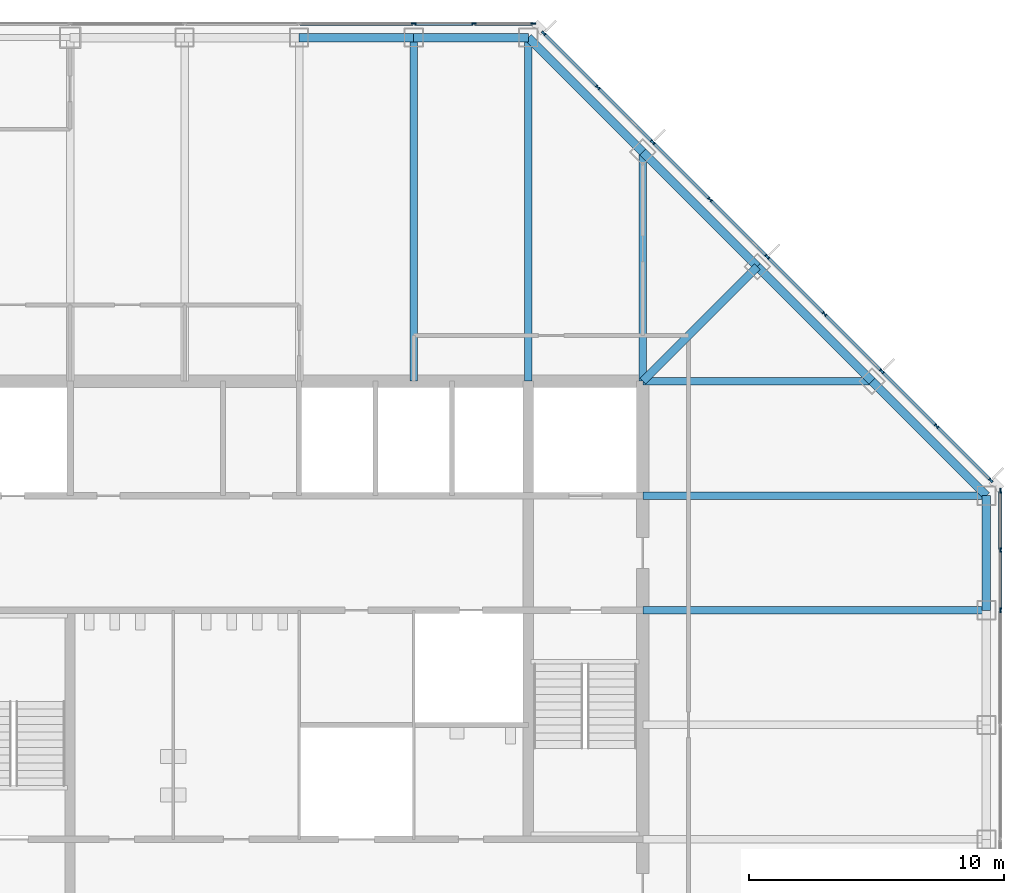
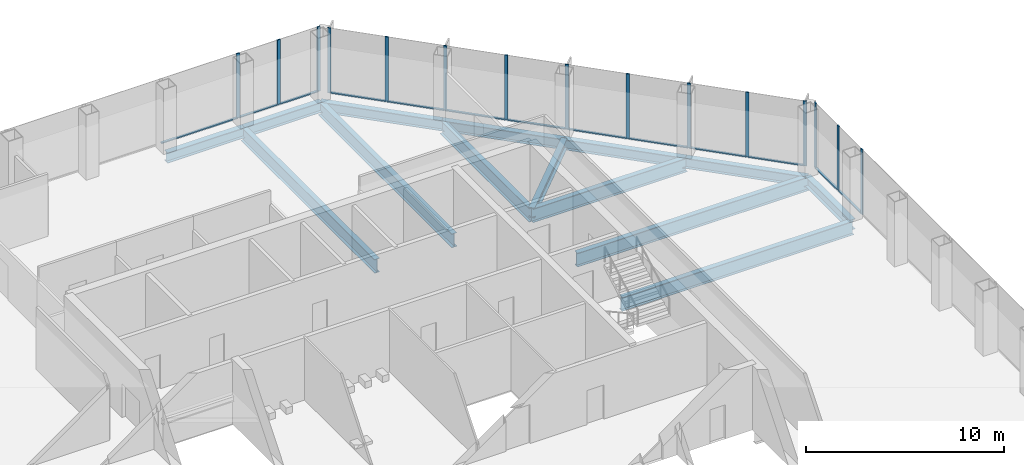
# One storey, part 6 of 12: 28 members, 14 beams, 3 elements without a shape of their own.
"""IFC4 building model written with IfcOpenShell, lengths in metres."""

from ifc_helpers import new_model, si_unit, direction, frame, origin, origin_2d, place, context, subcontext, project, spatial, rectangle, i_section, extrude, material, material_profile, profile_set, type_object, element, aggregate, save


model = new_model("IFC4")

# Units and contexts
model_context = context("Model", 3, precision=1e-05, world=origin(), true_north=direction((0.0, 1.0)))
body_context = subcontext(model_context, "Body", "Model", "MODEL_VIEW")
ifc_project = project(units=[si_unit("LENGTHUNIT", "METRE"), si_unit("AREAUNIT", "SQUARE_METRE"), si_unit("VOLUMEUNIT", "CUBIC_METRE"), si_unit("PLANEANGLEUNIT", "RADIAN"), si_unit("MASSUNIT", "GRAM", prefix="KILO")], contexts=[model_context])

# Site, building, storey
site_placement = place(None, origin())
site = spatial("IfcSite", under=ifc_project, at=site_placement, CompositionType="ELEMENT")
building_placement = place(site_placement, origin())
building = spatial("IfcBuilding", under=site, at=building_placement, Name="Corais Broadcast Tower", CompositionType="ELEMENT")
storey_placement = place(building_placement, frame((0.0, 0.0, 131.60009765625)))
storey = spatial("IfcBuildingStorey", under=building, at=storey_placement, Name="L29", CompositionType="ELEMENT", Elevation=131.60009765625)

# Beams
ifc_material_1 = material(Name="Steel ASTM A572 Grade 50", Category="steel")
ifc_material_profile_1 = material_profile(ifc_material_1, i_section(OverallWidth=0.323974609375, OverallDepth=0.611083984375, WebThickness=0.0126953125, FlangeThickness=0.01904296875, at=origin_2d()), Name="W610x155")
ifc_profile_set_1 = profile_set([ifc_material_profile_1], Name="Steel ASTM A572 Grade 50")
beam_type_1 = type_object("IfcBeamType", Name="Corner diagonal W610x155", PredefinedType="BEAM", material=ifc_profile_set_1)
beam_1_placement = place(storey_placement, frame((45.0, 45.0, -0.465576171875), z_axis=(-0.707106781187, -0.707106781187, 0.0), x_axis=(0.707106781187, -0.707106781187, 0.0)))
element("IfcBeam", 1, at=beam_1_placement, inside=storey, type_object=beam_type_1, Name="B6 L/13 to K/12", PredefinedType="BEAM", context=body_context, shape_type="SweptSolid", body=[
    extrude(i_section(OverallWidth=0.323974609375, OverallDepth=0.611083984375, WebThickness=0.0126953125, FlangeThickness=0.01904296875, at=origin_2d()), origin(), (0.0, 0.0, 1.0), 6.364013671875),
])
ifc_material_2 = material(Name="Steel ASTM A572 Grade 50", Category="steel")
ifc_material_profile_2 = material_profile(ifc_material_2, i_section(OverallWidth=0.2939453125, OverallDepth=0.85107421875, WebThickness=0.01611328125, FlangeThickness=0.02685546875, at=origin_2d()), Name="W840x226")
ifc_profile_set_2 = profile_set([ifc_material_profile_2], Name="Steel ASTM A572 Grade 50")
beam_type_2 = type_object("IfcBeamType", Name="Floor beam W840x226", PredefinedType="BEAM", material=ifc_profile_set_2)
for number, where, z_axis, x_axis, name in (
    (2, (31.5, 54.0, -0.585693359375), (0.0, -1.0, 0.0), (1.0, 0.0, 0.0), "B1 N/10 to K/10"),
    (3, (36.0, 54.0, -0.585693359375), (0.0, -1.0, 0.0), (1.0, 0.0, 0.0), "B1 N/11 to K/11"),
):
    element("IfcBeam", number, at=place(storey_placement, frame(where, z_axis=z_axis, x_axis=x_axis)), inside=storey, type_object=beam_type_2, Name=name, PredefinedType="BEAM", context=body_context, shape_type="SweptSolid", body=[
        extrude(i_section(OverallWidth=0.2939453125, OverallDepth=0.85107421875, WebThickness=0.01611328125, FlangeThickness=0.02685546875, at=origin_2d()), origin(), (0.0, 0.0, 1.0), 13.5),
    ])
for number, where, z_axis, x_axis, name in (
    (4, (40.5, 49.5, -0.585693359375), (0.0, -1.0, 0.0), (1.0, 0.0, 0.0), "B1 M/12 to K/12"),
    (5, (49.5, 40.5, -0.585693359375), (-1.0, 0.0, 0.0), (0.0, -1.0, 0.0), "B1 K/14 to K/12"),
):
    element("IfcBeam", number, at=place(storey_placement, frame(where, z_axis=z_axis, x_axis=x_axis)), inside=storey, type_object=beam_type_2, Name=name, PredefinedType="BEAM", context=body_context, shape_type="SweptSolid", body=[
        extrude(i_section(OverallWidth=0.2939453125, OverallDepth=0.85107421875, WebThickness=0.01611328125, FlangeThickness=0.02685546875, at=origin_2d()), origin(), (0.0, 0.0, 1.0), 9.0),
    ])
for number, where, z_axis, x_axis, name in (
    (6, (54.0, 31.5, -0.585693359375), (-1.0, 0.0, 0.0), (0.0, -1.0, 0.0), "B1 H/15 to H/12"),
    (7, (54.0, 36.0, -0.585693359375), (-1.0, 0.0, 0.0), (0.0, -1.0, 0.0), "B1 J/15 to J/12"),
):
    element("IfcBeam", number, at=place(storey_placement, frame(where, z_axis=z_axis, x_axis=x_axis)), inside=storey, type_object=beam_type_2, Name=name, PredefinedType="BEAM", context=body_context, shape_type="SweptSolid", body=[
        extrude(i_section(OverallWidth=0.2939453125, OverallDepth=0.85107421875, WebThickness=0.01611328125, FlangeThickness=0.02685546875, at=origin_2d()), origin(), (0.0, 0.0, 1.0), 13.5),
    ])

# Curtain wall, members
ifc_material_3 = material(Name="Aluminium and glass", Category="aluminium")
curtain_wall_type = type_object("IfcCurtainWallType", Name="Unitised fritted curtain wall CW2", PredefinedType="NOTDEFINED", material=ifc_material_3)
curtain_wall_1_placement = place(storey_placement, origin())
curtain_wall_1 = element("IfcCurtainWall", 8, at=curtain_wall_1_placement, inside=storey, type_object=curtain_wall_type, Name="CW2 curtain wall L29 4", PredefinedType="NOTDEFINED")
ifc_material_4 = material(Name="Aluminium 6063-T6", Category="aluminium")
ifc_material_profile_3 = material_profile(ifc_material_4, rectangle(XDim=0.06494140625, YDim=0.179931640625, at=origin_2d()), Name="Mullion CW2 65x180")
ifc_profile_set_3 = profile_set([ifc_material_profile_3], Name="Aluminium 6063-T6")
member_type_1 = type_object("IfcMemberType", Name="Mullion CW2 65x180", PredefinedType="MULLION", material=ifc_profile_set_3)
member_1_placement = place(storey_placement, frame((31.5, 54.550048828125, 0.0), z_axis=(0.0, 0.0, 1.0), x_axis=(0.0, 1.0, 0.0)))
member_1 = element("IfcMember", 9, at=member_1_placement, type_object=member_type_1, Name="CW2 mullion 7", PredefinedType="MULLION", context=body_context, shape_type="SweptSolid", body=[
    extrude(rectangle(XDim=0.06494140625, YDim=0.179931640625, at=origin_2d()), origin(), (0.0, 0.0, 1.0), 4.0),
])
member_2_placement = place(storey_placement, frame((33.864013671875, 54.550048828125, 0.0), z_axis=(0.0, 0.0, 1.0), x_axis=(0.0, 1.0, 0.0)))
member_2 = element("IfcMember", 10, at=member_2_placement, type_object=member_type_1, Name="CW2 mullion 8", PredefinedType="MULLION", context=body_context, shape_type="SweptSolid", body=[
    extrude(rectangle(XDim=0.06494140625, YDim=0.179931640625, at=origin_2d()), origin(), (0.0, 0.0, 1.0), 4.0),
])
member_3_placement = place(storey_placement, frame((36.1953125, 54.550048828125, 0.0), z_axis=(0.0, 0.0, 1.0), x_axis=(0.0, 1.0, 0.0)))
member_3 = element("IfcMember", 11, at=member_3_placement, type_object=member_type_1, Name="CW2 mullion 9", PredefinedType="MULLION", context=body_context, shape_type="SweptSolid", body=[
    extrude(rectangle(XDim=0.06494140625, YDim=0.179931640625, at=origin_2d()), origin(), (0.0, 0.0, 1.0), 4.0),
])

curtain_wall_2_placement = place(storey_placement, origin())
curtain_wall_2 = element("IfcCurtainWall", 12, at=curtain_wall_2_placement, inside=storey, type_object=curtain_wall_type, Name="CW2 curtain wall L29 5", PredefinedType="NOTDEFINED")
member_4_placement = place(storey_placement, frame((36.6044921875, 54.17333984375, 0.0), z_axis=(0.0, 0.0, 1.0), x_axis=(0.707106781187, 0.707106781187, 0.0)))
member_4 = element("IfcMember", 13, at=member_4_placement, type_object=member_type_1, Name="CW2 mullion 1", PredefinedType="MULLION", context=body_context, shape_type="SweptSolid", body=[
    extrude(rectangle(XDim=0.06494140625, YDim=0.179931640625, at=origin_2d()), origin(), (0.0, 0.0, 1.0), 4.0),
])
member_5_placement = place(storey_placement, frame((38.735107421875, 52.042724609375, 0.0), z_axis=(0.0, 0.0, 1.0), x_axis=(0.707106781187, 0.707106781187, 0.0)))
member_5 = element("IfcMember", 14, at=member_5_placement, type_object=member_type_1, Name="CW2 mullion 2", PredefinedType="MULLION", context=body_context, shape_type="SweptSolid", body=[
    extrude(rectangle(XDim=0.06494140625, YDim=0.179931640625, at=origin_2d()), origin(), (0.0, 0.0, 1.0), 4.0),
])
member_6_placement = place(storey_placement, frame((40.888916015625, 49.888916015625, 0.0), z_axis=(0.0, 0.0, 1.0), x_axis=(0.707106781187, 0.707106781187, 0.0)))
member_6 = element("IfcMember", 15, at=member_6_placement, type_object=member_type_1, Name="CW2 mullion 3", PredefinedType="MULLION", context=body_context, shape_type="SweptSolid", body=[
    extrude(rectangle(XDim=0.06494140625, YDim=0.179931640625, at=origin_2d()), origin(), (0.0, 0.0, 1.0), 4.0),
])
member_7_placement = place(storey_placement, frame((43.138916015625, 47.638916015625, 0.0), z_axis=(0.0, 0.0, 1.0), x_axis=(0.707106781187, 0.707106781187, 0.0)))
member_7 = element("IfcMember", 16, at=member_7_placement, type_object=member_type_1, Name="CW2 mullion 4", PredefinedType="MULLION", context=body_context, shape_type="SweptSolid", body=[
    extrude(rectangle(XDim=0.06494140625, YDim=0.179931640625, at=origin_2d()), origin(), (0.0, 0.0, 1.0), 4.0),
])
member_8_placement = place(storey_placement, frame((45.388916015625, 45.388916015625, 0.0), z_axis=(0.0, 0.0, 1.0), x_axis=(0.707106781187, 0.707106781187, 0.0)))
member_8 = element("IfcMember", 17, at=member_8_placement, type_object=member_type_1, Name="CW2 mullion 5", PredefinedType="MULLION", context=body_context, shape_type="SweptSolid", body=[
    extrude(rectangle(XDim=0.06494140625, YDim=0.179931640625, at=origin_2d()), origin(), (0.0, 0.0, 1.0), 4.0),
])
member_9_placement = place(storey_placement, frame((47.638916015625, 43.138916015625, 0.0), z_axis=(0.0, 0.0, 1.0), x_axis=(0.707106781187, 0.707106781187, 0.0)))
member_9 = element("IfcMember", 18, at=member_9_placement, type_object=member_type_1, Name="CW2 mullion 6", PredefinedType="MULLION", context=body_context, shape_type="SweptSolid", body=[
    extrude(rectangle(XDim=0.06494140625, YDim=0.179931640625, at=origin_2d()), origin(), (0.0, 0.0, 1.0), 4.0),
])
member_10_placement = place(storey_placement, frame((49.888916015625, 40.888916015625, 0.0), z_axis=(0.0, 0.0, 1.0), x_axis=(0.707106781187, 0.707106781187, 0.0)))
member_10 = element("IfcMember", 19, at=member_10_placement, type_object=member_type_1, Name="CW2 mullion 7", PredefinedType="MULLION", context=body_context, shape_type="SweptSolid", body=[
    extrude(rectangle(XDim=0.06494140625, YDim=0.179931640625, at=origin_2d()), origin(), (0.0, 0.0, 1.0), 4.0),
])
member_11_placement = place(storey_placement, frame((52.042724609375, 38.735107421875, 0.0), z_axis=(0.0, 0.0, 1.0), x_axis=(0.707106781187, 0.707106781187, 0.0)))
member_11 = element("IfcMember", 20, at=member_11_placement, type_object=member_type_1, Name="CW2 mullion 8", PredefinedType="MULLION", context=body_context, shape_type="SweptSolid", body=[
    extrude(rectangle(XDim=0.06494140625, YDim=0.179931640625, at=origin_2d()), origin(), (0.0, 0.0, 1.0), 4.0),
])
member_12_placement = place(storey_placement, frame((54.17333984375, 36.6044921875, 0.0), z_axis=(0.0, 0.0, 1.0), x_axis=(0.707106781187, 0.707106781187, 0.0)))
member_12 = element("IfcMember", 21, at=member_12_placement, type_object=member_type_1, Name="CW2 mullion 9", PredefinedType="MULLION", context=body_context, shape_type="SweptSolid", body=[
    extrude(rectangle(XDim=0.06494140625, YDim=0.179931640625, at=origin_2d()), origin(), (0.0, 0.0, 1.0), 4.0),
])

curtain_wall_3_placement = place(storey_placement, origin())
curtain_wall_3 = element("IfcCurtainWall", 22, at=curtain_wall_3_placement, inside=storey, type_object=curtain_wall_type, Name="CW2 curtain wall L29 6", PredefinedType="NOTDEFINED")
member_13_placement = place(storey_placement, frame((54.550048828125, 36.1953125, 0.0), z_axis=(0.0, 0.0, 1.0), x_axis=(1.0, 0.0, 0.0)))
member_13 = element("IfcMember", 23, at=member_13_placement, type_object=member_type_1, Name="CW2 mullion 1", PredefinedType="MULLION", context=body_context, shape_type="SweptSolid", body=[
    extrude(rectangle(XDim=0.06494140625, YDim=0.179931640625, at=origin_2d()), origin(), (0.0, 0.0, 1.0), 4.0),
])
member_14_placement = place(storey_placement, frame((54.550048828125, 33.864013671875, 0.0), z_axis=(0.0, 0.0, 1.0), x_axis=(1.0, 0.0, 0.0)))
member_14 = element("IfcMember", 24, at=member_14_placement, type_object=member_type_1, Name="CW2 mullion 2", PredefinedType="MULLION", context=body_context, shape_type="SweptSolid", body=[
    extrude(rectangle(XDim=0.06494140625, YDim=0.179931640625, at=origin_2d()), origin(), (0.0, 0.0, 1.0), 4.0),
])
member_15_placement = place(storey_placement, frame((54.550048828125, 31.5, 0.0), z_axis=(0.0, 0.0, 1.0), x_axis=(1.0, 0.0, 0.0)))
member_15 = element("IfcMember", 25, at=member_15_placement, type_object=member_type_1, Name="CW2 mullion 3", PredefinedType="MULLION", context=body_context, shape_type="SweptSolid", body=[
    extrude(rectangle(XDim=0.06494140625, YDim=0.179931640625, at=origin_2d()), origin(), (0.0, 0.0, 1.0), 4.0),
])

# Beams
ifc_material_5 = material(Name="Steel ASTM A572 Grade 50", Category="steel")
ifc_material_profile_4 = material_profile(ifc_material_5, i_section(OverallWidth=0.3291015625, OverallDepth=0.635009765625, WebThickness=0.017822265625, FlangeThickness=0.031005859375, at=origin_2d()), Name="W610x241")
ifc_profile_set_4 = profile_set([ifc_material_profile_4], Name="Steel ASTM A572 Grade 50")
beam_type_3 = type_object("IfcBeamType", Name="Spandrel W610x241", PredefinedType="BEAM", material=ifc_profile_set_4)
for number, where, z_axis, x_axis, name in (
    (26, (31.5, 54.0, -0.4775390625), (-1.0, 0.0, 0.0), (0.0, -1.0, 0.0), "SB1 N/10 to N/9"),
    (27, (36.0, 54.0, -0.4775390625), (-1.0, 0.0, 0.0), (0.0, -1.0, 0.0), "SB1 N/11 to N/10"),
):
    element("IfcBeam", number, at=place(storey_placement, frame(where, z_axis=z_axis, x_axis=x_axis)), inside=storey, type_object=beam_type_3, Name=name, PredefinedType="BEAM", context=body_context, shape_type="SweptSolid", body=[
        extrude(i_section(OverallWidth=0.3291015625, OverallDepth=0.635009765625, WebThickness=0.017822265625, FlangeThickness=0.031005859375, at=origin_2d()), origin(), (0.0, 0.0, 1.0), 4.5),
    ])
for number, where, z_axis, x_axis, name in (
    (28, (40.5, 49.5, -0.4775390625), (-0.707106781187, 0.707106781187, 0.0), (-0.707106781187, -0.707106781187, 0.0), "SB1 M/12 to N/11"),
    (29, (45.0, 45.0, -0.4775390625), (-0.707106781187, 0.707106781187, 0.0), (-0.707106781187, -0.707106781187, 0.0), "SB1 L/13 to M/12"),
    (30, (49.5, 40.5, -0.4775390625), (-0.707106781187, 0.707106781187, 0.0), (-0.707106781187, -0.707106781187, 0.0), "SB1 K/14 to L/13"),
):
    element("IfcBeam", number, at=place(storey_placement, frame(where, z_axis=z_axis, x_axis=x_axis)), inside=storey, type_object=beam_type_3, Name=name, PredefinedType="BEAM", context=body_context, shape_type="SweptSolid", body=[
        extrude(i_section(OverallWidth=0.3291015625, OverallDepth=0.635009765625, WebThickness=0.017822265625, FlangeThickness=0.031005859375, at=origin_2d()), origin(), (0.0, 0.0, 1.0), 6.364013671875),
    ])
beam_2_placement = place(storey_placement, frame((54.0, 31.5, -0.4775390625), z_axis=(0.0, 1.0, 0.0), x_axis=(-1.0, 0.0, 0.0)))
element("IfcBeam", 31, at=beam_2_placement, inside=storey, type_object=beam_type_3, Name="SB1 H/15 to J/15", PredefinedType="BEAM", context=body_context, shape_type="SweptSolid", body=[
    extrude(i_section(OverallWidth=0.3291015625, OverallDepth=0.635009765625, WebThickness=0.017822265625, FlangeThickness=0.031005859375, at=origin_2d()), origin(), (0.0, 0.0, 1.0), 4.5),
])
beam_3_placement = place(storey_placement, frame((54.0, 36.0, -0.4775390625), z_axis=(-0.707106781187, 0.707106781187, 0.0), x_axis=(-0.707106781187, -0.707106781187, 0.0)))
element("IfcBeam", 32, at=beam_3_placement, inside=storey, type_object=beam_type_3, Name="SB1 J/15 to K/14", PredefinedType="BEAM", context=body_context, shape_type="SweptSolid", body=[
    extrude(i_section(OverallWidth=0.3291015625, OverallDepth=0.635009765625, WebThickness=0.017822265625, FlangeThickness=0.031005859375, at=origin_2d()), origin(), (0.0, 0.0, 1.0), 6.364013671875),
])

# Member
ifc_material_6 = material(Name="Aluminium 6063-T6", Category="aluminium")
ifc_material_profile_5 = material_profile(ifc_material_6, rectangle(XDim=0.1298828125, YDim=0.06494140625, at=origin_2d()), Name="Transom CW2 65x130")
ifc_profile_set_5 = profile_set([ifc_material_profile_5], Name="Aluminium 6063-T6")
member_type_2 = type_object("IfcMemberType", Name="Transom CW2 65x130", PredefinedType="USERDEFINED", material=ifc_profile_set_5)
member_16_placement = place(storey_placement, frame((27.032470703125, 54.550048828125, 0.032470703125), z_axis=(1.0, 0.0, 0.0), x_axis=(0.0, 1.0, 0.0)))
member_16 = element("IfcMember", 33, at=member_16_placement, type_object=member_type_2, Name="CW2 transom 6.1", ObjectType="TRANSOM", PredefinedType="USERDEFINED", context=body_context, shape_type="SweptSolid", body=[
    extrude(rectangle(XDim=0.1298828125, YDim=0.06494140625, at=origin_2d()), origin(), (0.0, 0.0, 1.0), 4.43505859375),
])

member_17_placement = place(storey_placement, frame((31.532470703125, 54.550048828125, 0.032470703125), z_axis=(1.0, 0.0, 0.0), x_axis=(0.0, 1.0, 0.0)))
member_17 = element("IfcMember", 34, at=member_17_placement, type_object=member_type_2, Name="CW2 transom 7.1", ObjectType="TRANSOM", PredefinedType="USERDEFINED", context=body_context, shape_type="SweptSolid", body=[
    extrude(rectangle(XDim=0.1298828125, YDim=0.06494140625, at=origin_2d()), origin(), (0.0, 0.0, 1.0), 2.298828125),
])

member_18_placement = place(storey_placement, frame((33.896484375, 54.550048828125, 0.032470703125), z_axis=(1.0, 0.0, 0.0), x_axis=(0.0, 1.0, 0.0)))
member_18 = element("IfcMember", 35, at=member_18_placement, type_object=member_type_2, Name="CW2 transom 8.1", ObjectType="TRANSOM", PredefinedType="USERDEFINED", context=body_context, shape_type="SweptSolid", body=[
    extrude(rectangle(XDim=0.1298828125, YDim=0.06494140625, at=origin_2d()), origin(), (0.0, 0.0, 1.0), 2.266357421875),
])

aggregate(curtain_wall_1, [member_1, member_2, member_3, member_16, member_17, member_18])

member_19_placement = place(storey_placement, frame((36.62744140625, 54.150390625, 0.032470703125), z_axis=(0.707106781187, -0.707106781187, 0.0), x_axis=(0.707106781187, 0.707106781187, 0.0)))
member_19 = element("IfcMember", 36, at=member_19_placement, type_object=member_type_2, Name="CW2 transom 1.1", ObjectType="TRANSOM", PredefinedType="USERDEFINED", context=body_context, shape_type="SweptSolid", body=[
    extrude(rectangle(XDim=0.1298828125, YDim=0.06494140625, at=origin_2d()), origin(), (0.0, 0.0, 1.0), 2.9482421875),
])

member_20_placement = place(storey_placement, frame((38.758056640625, 52.019775390625, 0.032470703125), z_axis=(0.707106781187, -0.707106781187, 0.0), x_axis=(0.707106781187, 0.707106781187, 0.0)))
member_20 = element("IfcMember", 37, at=member_20_placement, type_object=member_type_2, Name="CW2 transom 2.1", ObjectType="TRANSOM", PredefinedType="USERDEFINED", context=body_context, shape_type="SweptSolid", body=[
    extrude(rectangle(XDim=0.1298828125, YDim=0.06494140625, at=origin_2d()), origin(), (0.0, 0.0, 1.0), 2.98095703125),
])

member_21_placement = place(storey_placement, frame((40.911865234375, 49.865966796875, 0.032470703125), z_axis=(0.707106781187, -0.707106781187, 0.0), x_axis=(0.707106781187, 0.707106781187, 0.0)))
member_21 = element("IfcMember", 38, at=member_21_placement, type_object=member_type_2, Name="CW2 transom 3.1", ObjectType="TRANSOM", PredefinedType="USERDEFINED", context=body_context, shape_type="SweptSolid", body=[
    extrude(rectangle(XDim=0.1298828125, YDim=0.06494140625, at=origin_2d()), origin(), (0.0, 0.0, 1.0), 3.1171875),
])

member_22_placement = place(storey_placement, frame((43.161865234375, 47.615966796875, 0.032470703125), z_axis=(0.707106781187, -0.707106781187, 0.0), x_axis=(0.707106781187, 0.707106781187, 0.0)))
member_22 = element("IfcMember", 39, at=member_22_placement, type_object=member_type_2, Name="CW2 transom 4.1", ObjectType="TRANSOM", PredefinedType="USERDEFINED", context=body_context, shape_type="SweptSolid", body=[
    extrude(rectangle(XDim=0.1298828125, YDim=0.06494140625, at=origin_2d()), origin(), (0.0, 0.0, 1.0), 3.1171875),
])

member_23_placement = place(storey_placement, frame((45.411865234375, 45.365966796875, 0.032470703125), z_axis=(0.707106781187, -0.707106781187, 0.0), x_axis=(0.707106781187, 0.707106781187, 0.0)))
member_23 = element("IfcMember", 40, at=member_23_placement, type_object=member_type_2, Name="CW2 transom 5.1", ObjectType="TRANSOM", PredefinedType="USERDEFINED", context=body_context, shape_type="SweptSolid", body=[
    extrude(rectangle(XDim=0.1298828125, YDim=0.06494140625, at=origin_2d()), origin(), (0.0, 0.0, 1.0), 3.1171875),
])

member_24_placement = place(storey_placement, frame((47.661865234375, 43.115966796875, 0.032470703125), z_axis=(0.707106781187, -0.707106781187, 0.0), x_axis=(0.707106781187, 0.707106781187, 0.0)))
member_24 = element("IfcMember", 41, at=member_24_placement, type_object=member_type_2, Name="CW2 transom 6.1", ObjectType="TRANSOM", PredefinedType="USERDEFINED", context=body_context, shape_type="SweptSolid", body=[
    extrude(rectangle(XDim=0.1298828125, YDim=0.06494140625, at=origin_2d()), origin(), (0.0, 0.0, 1.0), 3.1171875),
])

member_25_placement = place(storey_placement, frame((49.911865234375, 40.865966796875, 0.032470703125), z_axis=(0.707065828661, -0.70714773134, 0.0), x_axis=(0.70714773134, 0.707065828661, 0.0)))
member_25 = element("IfcMember", 42, at=member_25_placement, type_object=member_type_2, Name="CW2 transom 7.1", ObjectType="TRANSOM", PredefinedType="USERDEFINED", context=body_context, shape_type="SweptSolid", body=[
    extrude(rectangle(XDim=0.1298828125, YDim=0.06494140625, at=origin_2d()), origin(), (0.0, 0.0, 1.0), 2.98095703125),
])

member_26_placement = place(storey_placement, frame((52.065673828125, 38.712158203125, 0.032470703125), z_axis=(0.707106781187, -0.707106781187, 0.0), x_axis=(0.707106781187, 0.707106781187, 0.0)))
member_26 = element("IfcMember", 43, at=member_26_placement, type_object=member_type_2, Name="CW2 transom 8.1", ObjectType="TRANSOM", PredefinedType="USERDEFINED", context=body_context, shape_type="SweptSolid", body=[
    extrude(rectangle(XDim=0.1298828125, YDim=0.06494140625, at=origin_2d()), origin(), (0.0, 0.0, 1.0), 2.9482421875),
])

aggregate(curtain_wall_2, [member_4, member_5, member_6, member_7, member_8, member_9, member_10, member_11, member_12, member_19, member_20, member_21, member_22, member_23, member_24, member_25, member_26])

member_27_placement = place(storey_placement, frame((54.550048828125, 36.162841796875, 0.032470703125), z_axis=(0.0, -1.0, 0.0), x_axis=(1.0, 0.0, 0.0)))
member_27 = element("IfcMember", 44, at=member_27_placement, type_object=member_type_2, Name="CW2 transom 1.1", ObjectType="TRANSOM", PredefinedType="USERDEFINED", context=body_context, shape_type="SweptSolid", body=[
    extrude(rectangle(XDim=0.1298828125, YDim=0.06494140625, at=origin_2d()), origin(), (0.0, 0.0, 1.0), 2.266357421875),
])

member_28_placement = place(storey_placement, frame((54.550048828125, 33.831298828125, 0.032470703125), z_axis=(0.0, -1.0, 0.0), x_axis=(1.0, 0.0, 0.0)))
member_28 = element("IfcMember", 45, at=member_28_placement, type_object=member_type_2, Name="CW2 transom 2.1", ObjectType="TRANSOM", PredefinedType="USERDEFINED", context=body_context, shape_type="SweptSolid", body=[
    extrude(rectangle(XDim=0.1298828125, YDim=0.06494140625, at=origin_2d()), origin(), (0.0, 0.0, 1.0), 2.298828125),
])

aggregate(curtain_wall_3, [member_13, member_14, member_15, member_27, member_28])

save(model, "model.ifc")
